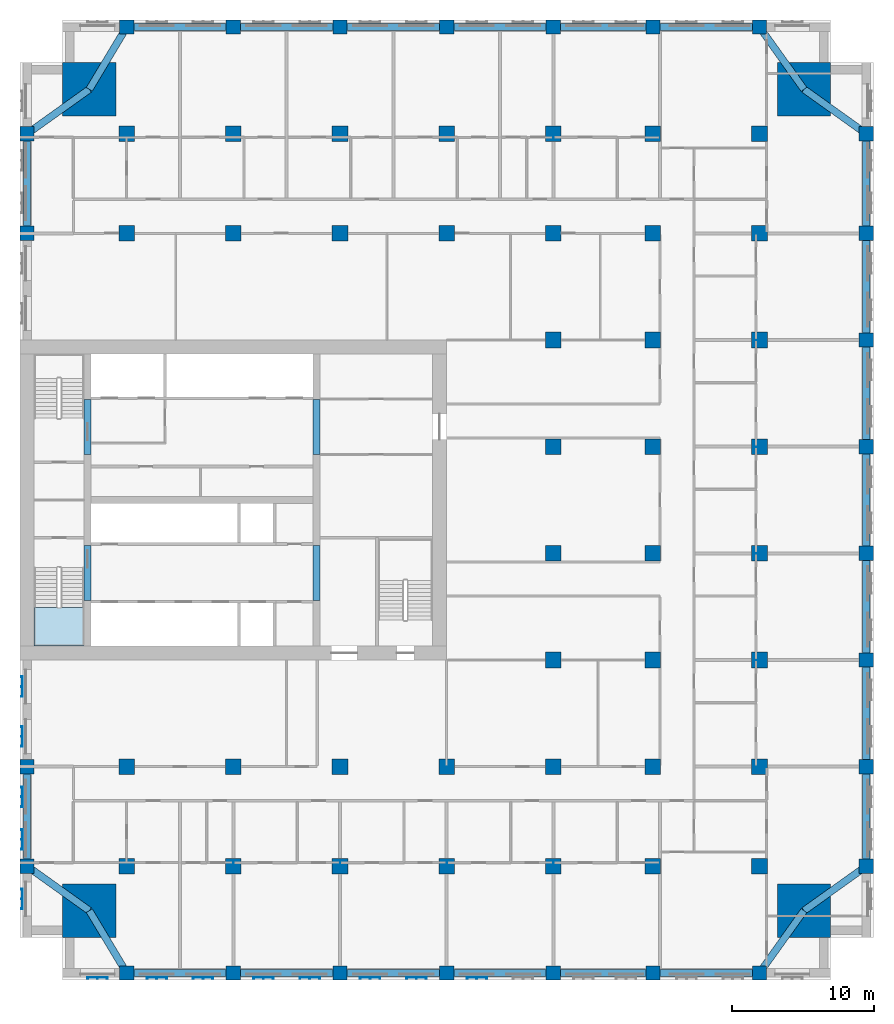
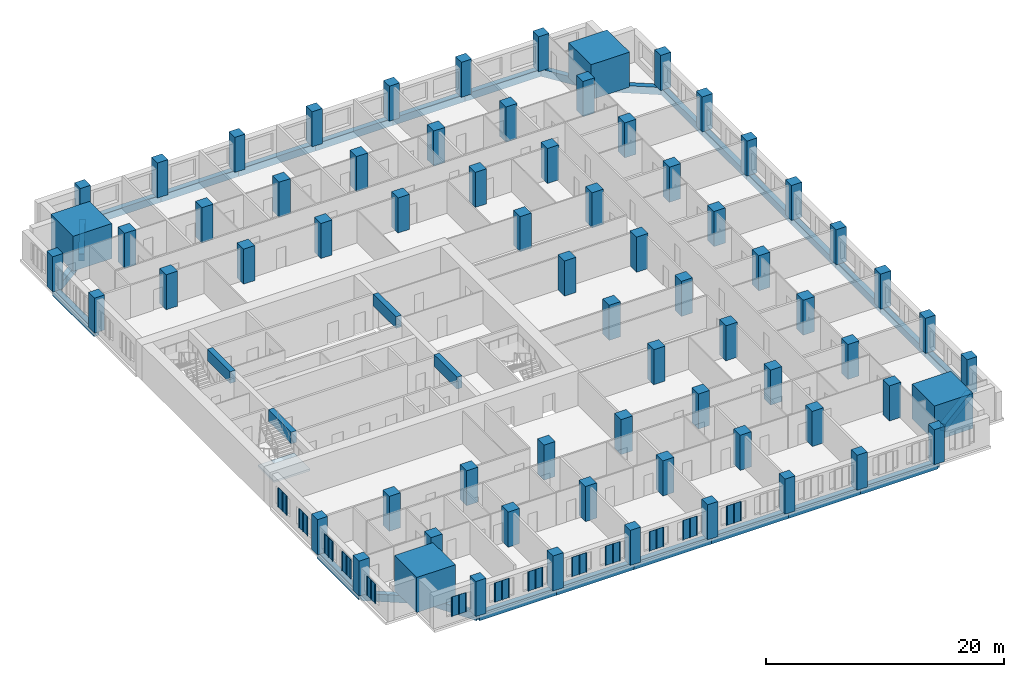
# One storey, part 1 of 14: 70 columns, 33 beams, 13 plates, 1 slab, 1 element without a shape of its own.
"""IFC4 building model written with IfcOpenShell, lengths in metres."""

from ifc_helpers import new_model, si_unit, direction, frame, origin, origin_2d, place, context, subcontext, project, spatial, polyline, rectangle, outline, extrude, material, layer, layer_set, material_profile, profile_set, type_object, element, aggregate, save


model = new_model("IFC4")

# Units and contexts
model_context = context("Model", 3, precision=1e-05, world=origin(), true_north=direction((0.0, 1.0)))
body_context = subcontext(model_context, "Body", "Model", "MODEL_VIEW")
ifc_project = project(units=[si_unit("LENGTHUNIT", "METRE"), si_unit("AREAUNIT", "SQUARE_METRE"), si_unit("VOLUMEUNIT", "CUBIC_METRE"), si_unit("PLANEANGLEUNIT", "RADIAN"), si_unit("MASSUNIT", "GRAM", prefix="KILO")], contexts=[model_context])

# Site, building, storey
site_placement = place(None, origin())
site = spatial("IfcSite", under=ifc_project, at=site_placement, CompositionType="ELEMENT")
building_placement = place(site_placement, origin())
building = spatial("IfcBuilding", under=site, at=building_placement, Name="Tamorin Gate", CompositionType="ELEMENT")
storey_placement = place(building_placement, frame((0.0, 0.0, 100.699951171875)))
storey = spatial("IfcBuildingStorey", under=building, at=storey_placement, Name="L24", CompositionType="ELEMENT", Elevation=100.699951171875)

# Columns
ifc_material_1 = material(Name="Concrete C80/95", Category="concrete")
ifc_material_profile_1 = material_profile(ifc_material_1, rectangle(XDim=1.0, YDim=1.0, at=origin_2d()), Name="RC 1000x1000")
ifc_profile_set_1 = profile_set([ifc_material_profile_1], Name="Concrete C80/95")
column_type_1 = type_object("IfcColumnType", Name="RC column 1000x1000 C80/95", PredefinedType="COLUMN", material=ifc_profile_set_1)
for number, where, z_axis, x_axis, name in (
    (1, (30.5, 45.5, 0.0), (0.0, 0.0, 1.0), (1.0, 0.0, 0.0), "Ring column L24"),
    (2, (30.5, 52.5, 0.0), (0.0, 0.0, 1.0), (1.0, 0.0, 0.0), "Ring column L24"),
    (3, (30.5, 90.0, 0.0), (0.0, 0.0, 1.0), (1.0, 0.0, 0.0), "Ring column L24"),
    (4, (30.5, 97.0, 0.0), (0.0, 0.0, 1.0), (1.0, 0.0, 0.0), "Ring column L24"),
    (5, (37.5, 38.0, 0.0), (0.0, 0.0, 1.0), (1.0, 0.0, 0.0), "Ring column L24"),
    (6, (37.5, 104.5, 0.0), (0.0, 0.0, 1.0), (1.0, 0.0, 0.0), "Ring column L24"),
    (7, (45.0, 38.0, 0.0), (0.0, 0.0, 1.0), (1.0, 0.0, 0.0), "Ring column L24"),
    (8, (45.0, 104.5, 0.0), (0.0, 0.0, 1.0), (1.0, 0.0, 0.0), "Ring column L24"),
    (9, (52.5, 38.0, 0.0), (0.0, 0.0, 1.0), (1.0, 0.0, 0.0), "Ring column L24"),
    (10, (52.5, 104.5, 0.0), (0.0, 0.0, 1.0), (1.0, 0.0, 0.0), "Ring column L24"),
    (11, (60.0, 38.0, 0.0), (0.0, 0.0, 1.0), (1.0, 0.0, 0.0), "Ring column L24"),
    (12, (60.0, 104.5, 0.0), (0.0, 0.0, 1.0), (1.0, 0.0, 0.0), "Ring column L24"),
    (13, (67.5, 38.0, 0.0), (0.0, 0.0, 1.0), (1.0, 0.0, 0.0), "Ring column L24"),
    (14, (67.5, 104.5, 0.0), (0.0, 0.0, 1.0), (1.0, 0.0, 0.0), "Ring column L24"),
    (15, (74.5, 38.0, 0.0), (0.0, 0.0, 1.0), (1.0, 0.0, 0.0), "Ring column L24"),
    (16, (74.5, 104.5, 0.0), (0.0, 0.0, 1.0), (1.0, 0.0, 0.0), "Ring column L24"),
    (17, (82.0, 38.0, 0.0), (0.0, 0.0, 1.0), (1.0, 0.0, 0.0), "Ring column L24"),
    (18, (82.0, 104.5, 0.0), (0.0, 0.0, 1.0), (1.0, 0.0, 0.0), "Ring column L24"),
    (19, (89.5, 45.5, 0.0), (0.0, 0.0, 1.0), (1.0, 0.0, 0.0), "Ring column L24"),
    (20, (89.5, 52.5, 0.0), (0.0, 0.0, 1.0), (1.0, 0.0, 0.0), "Ring column L24"),
    (21, (89.5, 60.0, 0.0), (0.0, 0.0, 1.0), (1.0, 0.0, 0.0), "Ring column L24"),
    (22, (89.5, 67.5, 0.0), (0.0, 0.0, 1.0), (1.0, 0.0, 0.0), "Ring column L24"),
    (23, (89.5, 75.0, 0.0), (0.0, 0.0, 1.0), (1.0, 0.0, 0.0), "Ring column L24"),
    (24, (89.5, 82.5, 0.0), (0.0, 0.0, 1.0), (1.0, 0.0, 0.0), "Ring column L24"),
    (25, (89.5, 90.0, 0.0), (0.0, 0.0, 1.0), (1.0, 0.0, 0.0), "Ring column L24"),
    (26, (89.5, 97.0, 0.0), (0.0, 0.0, 1.0), (1.0, 0.0, 0.0), "Ring column L24"),
):
    element("IfcColumn", number, at=place(storey_placement, frame(where, z_axis=z_axis, x_axis=x_axis)), inside=storey, type_object=column_type_1, Name=name, PredefinedType="COLUMN", context=body_context, shape_type="SweptSolid", body=[
        extrude(rectangle(XDim=1.0, YDim=1.0, at=origin_2d()), origin(), (0.0, 0.0, 1.0), 3.60009765625),
    ])
ifc_material_profile_2 = material_profile(ifc_material_1, rectangle(XDim=1.10009765625, YDim=1.10009765625, at=origin_2d()), Name="RC 1100x1100")
ifc_profile_set_2 = profile_set([ifc_material_profile_2], Name="Concrete C80/95")
column_type_2 = type_object("IfcColumnType", Name="RC column 1100x1100 C80/95", PredefinedType="COLUMN", material=ifc_profile_set_2)
for number, where, z_axis, x_axis, name in (
    (27, (37.5, 45.5, 0.0), (0.0, 0.0, 1.0), (1.0, 0.0, 0.0), "Interior column L24"),
    (28, (37.5, 52.5, 0.0), (0.0, 0.0, 1.0), (1.0, 0.0, 0.0), "Interior column L24"),
    (29, (37.5, 90.0, 0.0), (0.0, 0.0, 1.0), (1.0, 0.0, 0.0), "Interior column L24"),
    (30, (37.5, 97.0, 0.0), (0.0, 0.0, 1.0), (1.0, 0.0, 0.0), "Interior column L24"),
    (31, (45.0, 45.5, 0.0), (0.0, 0.0, 1.0), (1.0, 0.0, 0.0), "Interior column L24"),
    (32, (45.0, 52.5, 0.0), (0.0, 0.0, 1.0), (1.0, 0.0, 0.0), "Interior column L24"),
    (33, (45.0, 90.0, 0.0), (0.0, 0.0, 1.0), (1.0, 0.0, 0.0), "Interior column L24"),
    (34, (45.0, 97.0, 0.0), (0.0, 0.0, 1.0), (1.0, 0.0, 0.0), "Interior column L24"),
    (35, (52.5, 45.5, 0.0), (0.0, 0.0, 1.0), (1.0, 0.0, 0.0), "Interior column L24"),
    (36, (52.5, 52.5, 0.0), (0.0, 0.0, 1.0), (1.0, 0.0, 0.0), "Interior column L24"),
    (37, (52.5, 90.0, 0.0), (0.0, 0.0, 1.0), (1.0, 0.0, 0.0), "Interior column L24"),
    (38, (52.5, 97.0, 0.0), (0.0, 0.0, 1.0), (1.0, 0.0, 0.0), "Interior column L24"),
    (39, (60.0, 45.5, 0.0), (0.0, 0.0, 1.0), (1.0, 0.0, 0.0), "Interior column L24"),
    (40, (60.0, 52.5, 0.0), (0.0, 0.0, 1.0), (1.0, 0.0, 0.0), "Interior column L24"),
    (41, (60.0, 90.0, 0.0), (0.0, 0.0, 1.0), (1.0, 0.0, 0.0), "Interior column L24"),
    (42, (60.0, 97.0, 0.0), (0.0, 0.0, 1.0), (1.0, 0.0, 0.0), "Interior column L24"),
    (43, (67.5, 45.5, 0.0), (0.0, 0.0, 1.0), (1.0, 0.0, 0.0), "Interior column L24"),
    (44, (67.5, 52.5, 0.0), (0.0, 0.0, 1.0), (1.0, 0.0, 0.0), "Interior column L24"),
    (45, (67.5, 60.0, 0.0), (0.0, 0.0, 1.0), (1.0, 0.0, 0.0), "Interior column L24"),
    (46, (67.5, 67.5, 0.0), (0.0, 0.0, 1.0), (1.0, 0.0, 0.0), "Interior column L24"),
    (47, (67.5, 75.0, 0.0), (0.0, 0.0, 1.0), (1.0, 0.0, 0.0), "Interior column L24"),
    (48, (67.5, 82.5, 0.0), (0.0, 0.0, 1.0), (1.0, 0.0, 0.0), "Interior column L24"),
    (49, (67.5, 90.0, 0.0), (0.0, 0.0, 1.0), (1.0, 0.0, 0.0), "Interior column L24"),
    (50, (67.5, 97.0, 0.0), (0.0, 0.0, 1.0), (1.0, 0.0, 0.0), "Interior column L24"),
    (51, (74.5, 45.5, 0.0), (0.0, 0.0, 1.0), (1.0, 0.0, 0.0), "Interior column L24"),
    (52, (74.5, 52.5, 0.0), (0.0, 0.0, 1.0), (1.0, 0.0, 0.0), "Interior column L24"),
    (53, (74.5, 60.0, 0.0), (0.0, 0.0, 1.0), (1.0, 0.0, 0.0), "Interior column L24"),
    (54, (74.5, 67.5, 0.0), (0.0, 0.0, 1.0), (1.0, 0.0, 0.0), "Interior column L24"),
    (55, (74.5, 75.0, 0.0), (0.0, 0.0, 1.0), (1.0, 0.0, 0.0), "Interior column L24"),
    (56, (74.5, 82.5, 0.0), (0.0, 0.0, 1.0), (1.0, 0.0, 0.0), "Interior column L24"),
    (57, (74.5, 90.0, 0.0), (0.0, 0.0, 1.0), (1.0, 0.0, 0.0), "Interior column L24"),
    (58, (74.5, 97.0, 0.0), (0.0, 0.0, 1.0), (1.0, 0.0, 0.0), "Interior column L24"),
    (59, (82.0, 45.5, 0.0), (0.0, 0.0, 1.0), (1.0, 0.0, 0.0), "Interior column L24"),
    (60, (82.0, 52.5, 0.0), (0.0, 0.0, 1.0), (1.0, 0.0, 0.0), "Interior column L24"),
    (61, (82.0, 60.0, 0.0), (0.0, 0.0, 1.0), (1.0, 0.0, 0.0), "Interior column L24"),
    (62, (82.0, 67.5, 0.0), (0.0, 0.0, 1.0), (1.0, 0.0, 0.0), "Interior column L24"),
    (63, (82.0, 75.0, 0.0), (0.0, 0.0, 1.0), (1.0, 0.0, 0.0), "Interior column L24"),
    (64, (82.0, 82.5, 0.0), (0.0, 0.0, 1.0), (1.0, 0.0, 0.0), "Interior column L24"),
    (65, (82.0, 90.0, 0.0), (0.0, 0.0, 1.0), (1.0, 0.0, 0.0), "Interior column L24"),
    (66, (82.0, 97.0, 0.0), (0.0, 0.0, 1.0), (1.0, 0.0, 0.0), "Interior column L24"),
):
    element("IfcColumn", number, at=place(storey_placement, frame(where, z_axis=z_axis, x_axis=x_axis)), inside=storey, type_object=column_type_2, Name=name, PredefinedType="COLUMN", context=body_context, shape_type="SweptSolid", body=[
        extrude(rectangle(XDim=1.10009765625, YDim=1.10009765625, at=origin_2d()), origin(), (0.0, 0.0, 1.0), 3.60009765625),
    ])
ifc_material_profile_3 = material_profile(ifc_material_1, rectangle(XDim=3.75, YDim=3.75, at=origin_2d()), Name="RC 3750x3750")
ifc_profile_set_3 = profile_set([ifc_material_profile_3], Name="Concrete C80/95")
column_type_3 = type_object("IfcColumnType", Name="RC column 3750x3750 C80/95", PredefinedType="COLUMN", material=ifc_profile_set_3)
for number, where, z_axis, x_axis, name in (
    (67, (34.875, 42.375, 0.0), (0.0, 0.0, 1.0), (1.0, 0.0, 0.0), "Mega column SW L24"),
    (68, (85.125, 42.375, 0.0), (0.0, 0.0, 1.0), (1.0, 0.0, 0.0), "Mega column SE L24"),
    (69, (34.875, 100.125, 0.0), (0.0, 0.0, 1.0), (1.0, 0.0, 0.0), "Mega column NW L24"),
    (70, (85.125, 100.125, 0.0), (0.0, 0.0, 1.0), (1.0, 0.0, 0.0), "Mega column NE L24"),
):
    element("IfcColumn", number, at=place(storey_placement, frame(where, z_axis=z_axis, x_axis=x_axis)), inside=storey, type_object=column_type_3, Name=name, PredefinedType="COLUMN", context=body_context, shape_type="SweptSolid", body=[
        extrude(rectangle(XDim=3.75, YDim=3.75, at=origin_2d()), origin(), (0.0, 0.0, 1.0), 3.60009765625),
    ])

# Beams
ifc_material_profile_4 = material_profile(ifc_material_1, rectangle(XDim=0.5, YDim=1.199951171875, at=origin_2d()), Name="RC 500x1200")
ifc_profile_set_4 = profile_set([ifc_material_profile_4], Name="Concrete C80/95")
beam_type_1 = type_object("IfcBeamType", Name="RC coupling beam 500x1200 C80/95", PredefinedType="BEAM", material=ifc_profile_set_4)
for number, where, z_axis, x_axis, name in (
    (71, (34.75, 64.199951171875, 3.0), (0.0, 1.0, 0.0), (-1.0, 0.0, 0.0), "Coupling beam L24"),
    (72, (34.75, 74.449951171875, 3.0), (0.0, 1.0, 0.0), (-1.0, 0.0, 0.0), "Coupling beam L24"),
    (73, (50.85009765625, 64.199951171875, 3.0), (0.0, 1.0, 0.0), (-1.0, 0.0, 0.0), "Coupling beam L24"),
    (74, (50.85009765625, 74.449951171875, 3.0), (0.0, 1.0, 0.0), (-1.0, 0.0, 0.0), "Coupling beam L24"),
):
    element("IfcBeam", number, at=place(storey_placement, frame(where, z_axis=z_axis, x_axis=x_axis)), inside=storey, type_object=beam_type_1, Name=name, PredefinedType="BEAM", context=body_context, shape_type="SweptSolid", body=[
        extrude(rectangle(XDim=0.5, YDim=1.199951171875, at=origin_2d()), origin(), (0.0, 0.0, 1.0), 3.85009765625),
    ])
ifc_material_2 = material(Name="Concrete C50/60", Category="concrete")
ifc_material_profile_5 = material_profile(ifc_material_2, rectangle(XDim=0.5, YDim=0.75, at=origin_2d()), Name="RC 500x750")
ifc_profile_set_5 = profile_set([ifc_material_profile_5], Name="Concrete C50/60")
beam_type_2 = type_object("IfcBeamType", Name="RC spandrel 500x750 C50/60", PredefinedType="BEAM", material=ifc_profile_set_5)
for number, where, z_axis, x_axis, name in (
    (75, (37.5, 38.0, -0.375), (1.0, 0.0, 0.0), (0.0, 1.0, 0.0), "Spandrel beam L24"),
    (76, (45.0, 38.0, -0.375), (1.0, 0.0, 0.0), (0.0, 1.0, 0.0), "Spandrel beam L24"),
    (77, (52.5, 38.0, -0.375), (1.0, 0.0, 0.0), (0.0, 1.0, 0.0), "Spandrel beam L24"),
    (78, (60.0, 38.0, -0.375), (1.0, 0.0, 0.0), (0.0, 1.0, 0.0), "Spandrel beam L24"),
):
    element("IfcBeam", number, at=place(storey_placement, frame(where, z_axis=z_axis, x_axis=x_axis)), inside=storey, type_object=beam_type_2, Name=name, PredefinedType="BEAM", context=body_context, shape_type="SweptSolid", body=[
        extrude(rectangle(XDim=0.5, YDim=0.75, at=origin_2d()), origin(), (0.0, 0.0, 1.0), 7.5),
    ])
beam_1_placement = place(storey_placement, frame((67.5, 38.0, -0.375), z_axis=(1.0, 0.0, 0.0), x_axis=(0.0, 1.0, 0.0)))
element("IfcBeam", 79, at=beam_1_placement, inside=storey, type_object=beam_type_2, Name="Spandrel beam L24", PredefinedType="BEAM", context=body_context, shape_type="SweptSolid", body=[
    extrude(rectangle(XDim=0.5, YDim=0.75, at=origin_2d()), origin(), (0.0, 0.0, 1.0), 7.0),
])
beam_2_placement = place(storey_placement, frame((74.5, 38.0, -0.375), z_axis=(1.0, 0.0, 0.0), x_axis=(0.0, 1.0, 0.0)))
element("IfcBeam", 80, at=beam_2_placement, inside=storey, type_object=beam_type_2, Name="Spandrel beam L24", PredefinedType="BEAM", context=body_context, shape_type="SweptSolid", body=[
    extrude(rectangle(XDim=0.5, YDim=0.75, at=origin_2d()), origin(), (0.0, 0.0, 1.0), 7.5),
])
beam_3_placement = place(storey_placement, frame((89.5, 45.5, -0.375), z_axis=(0.0, 1.0, 0.0), x_axis=(-1.0, 0.0, 0.0)))
element("IfcBeam", 81, at=beam_3_placement, inside=storey, type_object=beam_type_2, Name="Spandrel beam L24", PredefinedType="BEAM", context=body_context, shape_type="SweptSolid", body=[
    extrude(rectangle(XDim=0.5, YDim=0.75, at=origin_2d()), origin(), (0.0, 0.0, 1.0), 7.0),
])
for number, where, z_axis, x_axis, name in (
    (82, (89.5, 52.5, -0.375), (0.0, 1.0, 0.0), (-1.0, 0.0, 0.0), "Spandrel beam L24"),
    (83, (89.5, 60.0, -0.375), (0.0, 1.0, 0.0), (-1.0, 0.0, 0.0), "Spandrel beam L24"),
    (84, (89.5, 67.5, -0.375), (0.0, 1.0, 0.0), (-1.0, 0.0, 0.0), "Spandrel beam L24"),
    (85, (89.5, 75.0, -0.375), (0.0, 1.0, 0.0), (-1.0, 0.0, 0.0), "Spandrel beam L24"),
    (86, (89.5, 82.5, -0.375), (0.0, 1.0, 0.0), (-1.0, 0.0, 0.0), "Spandrel beam L24"),
):
    element("IfcBeam", number, at=place(storey_placement, frame(where, z_axis=z_axis, x_axis=x_axis)), inside=storey, type_object=beam_type_2, Name=name, PredefinedType="BEAM", context=body_context, shape_type="SweptSolid", body=[
        extrude(rectangle(XDim=0.5, YDim=0.75, at=origin_2d()), origin(), (0.0, 0.0, 1.0), 7.5),
    ])
beam_4_placement = place(storey_placement, frame((89.5, 90.0, -0.375), z_axis=(0.0, 1.0, 0.0), x_axis=(-1.0, 0.0, 0.0)))
element("IfcBeam", 87, at=beam_4_placement, inside=storey, type_object=beam_type_2, Name="Spandrel beam L24", PredefinedType="BEAM", context=body_context, shape_type="SweptSolid", body=[
    extrude(rectangle(XDim=0.5, YDim=0.75, at=origin_2d()), origin(), (0.0, 0.0, 1.0), 7.0),
])
beam_5_placement = place(storey_placement, frame((82.0, 104.5, -0.375), z_axis=(-1.0, 0.0, 0.0), x_axis=(0.0, -1.0, 0.0)))
element("IfcBeam", 88, at=beam_5_placement, inside=storey, type_object=beam_type_2, Name="Spandrel beam L24", PredefinedType="BEAM", context=body_context, shape_type="SweptSolid", body=[
    extrude(rectangle(XDim=0.5, YDim=0.75, at=origin_2d()), origin(), (0.0, 0.0, 1.0), 7.5),
])
beam_6_placement = place(storey_placement, frame((74.5, 104.5, -0.375), z_axis=(-1.0, 0.0, 0.0), x_axis=(0.0, -1.0, 0.0)))
element("IfcBeam", 89, at=beam_6_placement, inside=storey, type_object=beam_type_2, Name="Spandrel beam L24", PredefinedType="BEAM", context=body_context, shape_type="SweptSolid", body=[
    extrude(rectangle(XDim=0.5, YDim=0.75, at=origin_2d()), origin(), (0.0, 0.0, 1.0), 7.0),
])
for number, where, z_axis, x_axis, name in (
    (90, (67.5, 104.5, -0.375), (-1.0, 0.0, 0.0), (0.0, -1.0, 0.0), "Spandrel beam L24"),
    (91, (60.0, 104.5, -0.375), (-1.0, 0.0, 0.0), (0.0, -1.0, 0.0), "Spandrel beam L24"),
    (92, (52.5, 104.5, -0.375), (-1.0, 0.0, 0.0), (0.0, -1.0, 0.0), "Spandrel beam L24"),
    (93, (45.0, 104.5, -0.375), (-1.0, 0.0, 0.0), (0.0, -1.0, 0.0), "Spandrel beam L24"),
):
    element("IfcBeam", number, at=place(storey_placement, frame(where, z_axis=z_axis, x_axis=x_axis)), inside=storey, type_object=beam_type_2, Name=name, PredefinedType="BEAM", context=body_context, shape_type="SweptSolid", body=[
        extrude(rectangle(XDim=0.5, YDim=0.75, at=origin_2d()), origin(), (0.0, 0.0, 1.0), 7.5),
    ])
for number, where, z_axis, x_axis, name in (
    (94, (30.5, 97.0, -0.375), (0.0, -1.0, 0.0), (1.0, 0.0, 0.0), "Spandrel beam L24"),
    (95, (30.5, 52.5, -0.375), (0.0, -1.0, 0.0), (1.0, 0.0, 0.0), "Spandrel beam L24"),
):
    element("IfcBeam", number, at=place(storey_placement, frame(where, z_axis=z_axis, x_axis=x_axis)), inside=storey, type_object=beam_type_2, Name=name, PredefinedType="BEAM", context=body_context, shape_type="SweptSolid", body=[
        extrude(rectangle(XDim=0.5, YDim=0.75, at=origin_2d()), origin(), (0.0, 0.0, 1.0), 7.0),
    ])
beam_7_placement = place(storey_placement, frame((34.875, 42.375, -0.375), z_axis=(0.514495755428, -0.857492925713, 0.0), x_axis=(0.857492925713, 0.514495755428, 0.0)))
element("IfcBeam", 96, at=beam_7_placement, inside=storey, type_object=beam_type_2, Name="Corner tie beam L24", PredefinedType="BEAM", context=body_context, shape_type="SweptSolid", body=[
    extrude(rectangle(XDim=0.5, YDim=0.75, at=origin_2d()), origin(), (0.0, 0.0, 1.0), 5.10205078125),
])
for number, where, z_axis, x_axis, name in (
    (97, (34.875, 42.375, -0.375), (-0.813733471207, 0.581238193719, 0.0), (-0.581238193719, -0.813733471207, 0.0), "Corner tie beam L24"),
    (98, (85.125, 42.375, -0.375), (-0.581238193719, -0.813733471207, 0.0), (0.813733471207, -0.581238193719, 0.0), "Corner tie beam L24"),
    (99, (85.125, 42.375, -0.375), (0.813733471207, 0.581238193719, 0.0), (-0.581238193719, 0.813733471207, 0.0), "Corner tie beam L24"),
):
    element("IfcBeam", number, at=place(storey_placement, frame(where, z_axis=z_axis, x_axis=x_axis)), inside=storey, type_object=beam_type_2, Name=name, PredefinedType="BEAM", context=body_context, shape_type="SweptSolid", body=[
        extrude(rectangle(XDim=0.5, YDim=0.75, at=origin_2d()), origin(), (0.0, 0.0, 1.0), 5.37646484375),
    ])
beam_8_placement = place(storey_placement, frame((34.875, 100.125, -0.375), z_axis=(0.514495755428, 0.857492925713, 0.0), x_axis=(-0.857492925713, 0.514495755428, 0.0)))
element("IfcBeam", 100, at=beam_8_placement, inside=storey, type_object=beam_type_2, Name="Corner tie beam L24", PredefinedType="BEAM", context=body_context, shape_type="SweptSolid", body=[
    extrude(rectangle(XDim=0.5, YDim=0.75, at=origin_2d()), origin(), (0.0, 0.0, 1.0), 5.10205078125),
])
for number, where, z_axis, x_axis, name in (
    (101, (34.875, 100.125, -0.375), (-0.813733471207, -0.581238193719, 0.0), (0.581238193719, -0.813733471207, 0.0), "Corner tie beam L24"),
    (102, (85.125, 100.125, -0.375), (-0.581238193719, 0.813733471207, 0.0), (-0.813733471207, -0.581238193719, 0.0), "Corner tie beam L24"),
    (103, (85.125, 100.125, -0.375), (0.813733471207, -0.581238193719, 0.0), (0.581238193719, 0.813733471207, 0.0), "Corner tie beam L24"),
):
    element("IfcBeam", number, at=place(storey_placement, frame(where, z_axis=z_axis, x_axis=x_axis)), inside=storey, type_object=beam_type_2, Name=name, PredefinedType="BEAM", context=body_context, shape_type="SweptSolid", body=[
        extrude(rectangle(XDim=0.5, YDim=0.75, at=origin_2d()), origin(), (0.0, 0.0, 1.0), 5.37646484375),
    ])

# Stair, slab
ifc_material_3 = material(Name="Concrete C40/50", Category="concrete")
stair_type = type_object("IfcStairType", Name="Exit stair", PredefinedType="HALF_TURN_STAIR", material=ifc_material_3)
stair_placement = place(storey_placement, origin())
stair = element("IfcStair", 104, at=stair_placement, inside=storey, type_object=stair_type, Name="L24 stair ST1", PredefinedType="HALF_TURN_STAIR")
ifc_layer_1 = layer(ifc_material_3, 0.199951171875)
ifc_layer_set_1 = layer_set([ifc_layer_1], Name="Exit stair landing 200")
slab_type = type_object("IfcSlabType", Name="Exit stair landing 200", PredefinedType="LANDING", material=ifc_layer_set_1)
slab_placement = place(storey_placement, frame((0.0, 0.0, 1.60009765625)))
slab = element("IfcSlab", 105, at=slab_placement, type_object=slab_type, Name="ST1 landing 1", PredefinedType="LANDING", context=body_context, shape_type="SweptSolid", body=[
    extrude(outline(polyline([(31.0, 63.699951171875), (31.0, 61.0), (34.5, 61.0), (34.5, 63.699951171875), (31.0, 63.699951171875)])), origin(), (0.0, 0.0, 1.0), 0.199951171875),
])
aggregate(stair, [slab])

# Plates
ifc_material_4 = material(Name="Perforated pale aluminium sheet", Category="aluminium")
ifc_layer_2 = layer(ifc_material_4, 0.0400390625)
ifc_layer_set_2 = layer_set([ifc_layer_2], Name="Pale metal solar screen 1440")
plate_type = type_object("IfcPlateType", Name="Pale metal solar screen 1440", PredefinedType="SHEET", material=ifc_layer_set_2)
plate_1_placement = place(storey_placement, frame((0.0, 0.0, 0.7099609375)))
element("IfcPlate", 106, at=plate_1_placement, inside=storey, type_object=plate_type, Name="Perforated solar screen", PredefinedType="SHEET", context=body_context, shape_type="SweptSolid", body=[
    extrude(outline(polyline([(34.72998046875, 37.659912109375), (34.72998046875, 37.699951171875), (34.7900390625, 37.699951171875), (35.419921875, 37.699951171875), (35.47998046875, 37.699951171875), (36.110107421875, 37.699951171875), (36.169921875, 37.699951171875), (36.169921875, 37.659912109375), (36.169921875, 37.60009765625), (36.110107421875, 37.60009765625), (36.110107421875, 37.659912109375), (35.47998046875, 37.659912109375), (35.47998046875, 37.60009765625), (35.419921875, 37.60009765625), (35.419921875, 37.659912109375), (34.7900390625, 37.659912109375), (34.7900390625, 37.60009765625), (34.72998046875, 37.60009765625), (34.72998046875, 37.659912109375)])), origin(), (0.0, 0.0, 1.0), 1.97998046875),
])
plate_2_placement = place(storey_placement, frame((0.0, 0.0, 0.7099609375)))
element("IfcPlate", 107, at=plate_2_placement, inside=storey, type_object=plate_type, Name="Perforated solar screen", PredefinedType="SHEET", context=body_context, shape_type="SweptSolid", body=[
    extrude(outline(polyline([(38.905029296875, 37.659912109375), (38.905029296875, 37.699951171875), (38.965087890625, 37.699951171875), (39.594970703125, 37.699951171875), (39.655029296875, 37.699951171875), (40.284912109375, 37.699951171875), (40.344970703125, 37.699951171875), (40.344970703125, 37.699951171875), (40.344970703125, 37.659912109375), (40.344970703125, 37.659912109375), (40.344970703125, 37.60009765625), (40.284912109375, 37.60009765625), (40.284912109375, 37.659912109375), (39.655029296875, 37.659912109375), (39.655029296875, 37.60009765625), (39.594970703125, 37.60009765625), (39.594970703125, 37.659912109375), (38.965087890625, 37.659912109375), (38.965087890625, 37.60009765625), (38.905029296875, 37.60009765625), (38.905029296875, 37.659912109375)])), origin(), (0.0, 0.0, 1.0), 1.97998046875),
])
plate_3_placement = place(storey_placement, frame((0.0, 0.0, 0.7099609375)))
element("IfcPlate", 108, at=plate_3_placement, inside=storey, type_object=plate_type, Name="Perforated solar screen", PredefinedType="SHEET", context=body_context, shape_type="SweptSolid", body=[
    extrude(outline(polyline([(42.155029296875, 37.659912109375), (42.155029296875, 37.699951171875), (42.215087890625, 37.699951171875), (42.844970703125, 37.699951171875), (42.905029296875, 37.699951171875), (43.534912109375, 37.699951171875), (43.594970703125, 37.699951171875), (43.594970703125, 37.659912109375), (43.594970703125, 37.60009765625), (43.534912109375, 37.60009765625), (43.534912109375, 37.659912109375), (42.905029296875, 37.659912109375), (42.905029296875, 37.60009765625), (42.844970703125, 37.60009765625), (42.844970703125, 37.659912109375), (42.215087890625, 37.659912109375), (42.215087890625, 37.60009765625), (42.155029296875, 37.60009765625), (42.155029296875, 37.659912109375)])), origin(), (0.0, 0.0, 1.0), 1.97998046875),
])
plate_4_placement = place(storey_placement, frame((0.0, 0.0, 0.7099609375)))
element("IfcPlate", 109, at=plate_4_placement, inside=storey, type_object=plate_type, Name="Perforated solar screen", PredefinedType="SHEET", context=body_context, shape_type="SweptSolid", body=[
    extrude(outline(polyline([(46.405029296875, 37.659912109375), (46.405029296875, 37.699951171875), (46.465087890625, 37.699951171875), (47.094970703125, 37.699951171875), (47.155029296875, 37.699951171875), (47.784912109375, 37.699951171875), (47.844970703125, 37.699951171875), (47.844970703125, 37.659912109375), (47.844970703125, 37.60009765625), (47.784912109375, 37.60009765625), (47.784912109375, 37.659912109375), (47.155029296875, 37.659912109375), (47.155029296875, 37.60009765625), (47.094970703125, 37.60009765625), (47.094970703125, 37.659912109375), (46.465087890625, 37.659912109375), (46.465087890625, 37.60009765625), (46.405029296875, 37.60009765625), (46.405029296875, 37.659912109375)])), origin(), (0.0, 0.0, 1.0), 1.97998046875),
])
plate_5_placement = place(storey_placement, frame((0.0, 0.0, 0.7099609375)))
element("IfcPlate", 110, at=plate_5_placement, inside=storey, type_object=plate_type, Name="Perforated solar screen", PredefinedType="SHEET", context=body_context, shape_type="SweptSolid", body=[
    extrude(outline(polyline([(49.655029296875, 37.659912109375), (49.655029296875, 37.699951171875), (49.715087890625, 37.699951171875), (50.344970703125, 37.699951171875), (50.405029296875, 37.699951171875), (51.034912109375, 37.699951171875), (51.094970703125, 37.699951171875), (51.094970703125, 37.659912109375), (51.094970703125, 37.60009765625), (51.034912109375, 37.60009765625), (51.034912109375, 37.659912109375), (50.405029296875, 37.659912109375), (50.405029296875, 37.60009765625), (50.344970703125, 37.60009765625), (50.344970703125, 37.659912109375), (49.715087890625, 37.659912109375), (49.715087890625, 37.60009765625), (49.655029296875, 37.60009765625), (49.655029296875, 37.659912109375)])), origin(), (0.0, 0.0, 1.0), 1.97998046875),
])
plate_6_placement = place(storey_placement, frame((0.0, 0.0, 0.7099609375)))
element("IfcPlate", 111, at=plate_6_placement, inside=storey, type_object=plate_type, Name="Perforated solar screen", PredefinedType="SHEET", context=body_context, shape_type="SweptSolid", body=[
    extrude(outline(polyline([(53.905029296875, 37.659912109375), (53.905029296875, 37.699951171875), (53.965087890625, 37.699951171875), (54.594970703125, 37.699951171875), (54.655029296875, 37.699951171875), (55.284912109375, 37.699951171875), (55.344970703125, 37.699951171875), (55.344970703125, 37.659912109375), (55.344970703125, 37.60009765625), (55.284912109375, 37.60009765625), (55.284912109375, 37.659912109375), (54.655029296875, 37.659912109375), (54.655029296875, 37.60009765625), (54.594970703125, 37.60009765625), (54.594970703125, 37.659912109375), (53.965087890625, 37.659912109375), (53.965087890625, 37.60009765625), (53.905029296875, 37.60009765625), (53.905029296875, 37.659912109375)])), origin(), (0.0, 0.0, 1.0), 1.97998046875),
])
plate_7_placement = place(storey_placement, frame((0.0, 0.0, 0.7099609375)))
element("IfcPlate", 112, at=plate_7_placement, inside=storey, type_object=plate_type, Name="Perforated solar screen", PredefinedType="SHEET", context=body_context, shape_type="SweptSolid", body=[
    extrude(outline(polyline([(57.155029296875, 37.659912109375), (57.155029296875, 37.699951171875), (57.215087890625, 37.699951171875), (57.844970703125, 37.699951171875), (57.905029296875, 37.699951171875), (58.534912109375, 37.699951171875), (58.594970703125, 37.699951171875), (58.594970703125, 37.659912109375), (58.594970703125, 37.60009765625), (58.534912109375, 37.60009765625), (58.534912109375, 37.659912109375), (57.905029296875, 37.659912109375), (57.905029296875, 37.60009765625), (57.844970703125, 37.60009765625), (57.844970703125, 37.659912109375), (57.215087890625, 37.659912109375), (57.215087890625, 37.60009765625), (57.155029296875, 37.60009765625), (57.155029296875, 37.659912109375)])), origin(), (0.0, 0.0, 1.0), 1.97998046875),
])
plate_8_placement = place(storey_placement, frame((0.0, 0.0, 0.7099609375)))
element("IfcPlate", 113, at=plate_8_placement, inside=storey, type_object=plate_type, Name="Perforated solar screen", PredefinedType="SHEET", context=body_context, shape_type="SweptSolid", body=[
    extrude(outline(polyline([(61.405029296875, 37.659912109375), (61.405029296875, 37.699951171875), (61.465087890625, 37.699951171875), (62.094970703125, 37.699951171875), (62.155029296875, 37.699951171875), (62.784912109375, 37.699951171875), (62.844970703125, 37.699951171875), (62.844970703125, 37.659912109375), (62.844970703125, 37.60009765625), (62.784912109375, 37.60009765625), (62.784912109375, 37.659912109375), (62.155029296875, 37.659912109375), (62.155029296875, 37.60009765625), (62.094970703125, 37.60009765625), (62.094970703125, 37.659912109375), (61.465087890625, 37.659912109375), (61.465087890625, 37.60009765625), (61.405029296875, 37.60009765625), (61.405029296875, 37.659912109375)])), origin(), (0.0, 0.0, 1.0), 1.97998046875),
])
plate_9_placement = place(storey_placement, frame((0.0, 0.0, 0.7099609375)))
element("IfcPlate", 114, at=plate_9_placement, inside=storey, type_object=plate_type, Name="Perforated solar screen", PredefinedType="SHEET", context=body_context, shape_type="SweptSolid", body=[
    extrude(outline(polyline([(30.159912109375, 55.344970703125), (30.199951171875, 55.344970703125), (30.199951171875, 55.284912109375), (30.199951171875, 54.655029296875), (30.199951171875, 54.594970703125), (30.199951171875, 53.965087890625), (30.199951171875, 53.905029296875), (30.159912109375, 53.905029296875), (30.10009765625, 53.905029296875), (30.10009765625, 53.965087890625), (30.159912109375, 53.965087890625), (30.159912109375, 54.594970703125), (30.10009765625, 54.594970703125), (30.10009765625, 54.655029296875), (30.159912109375, 54.655029296875), (30.159912109375, 55.284912109375), (30.10009765625, 55.284912109375), (30.10009765625, 55.344970703125), (30.159912109375, 55.344970703125)])), origin(), (0.0, 0.0, 1.0), 1.97998046875),
])
plate_10_placement = place(storey_placement, frame((0.0, 0.0, 0.7099609375)))
element("IfcPlate", 115, at=plate_10_placement, inside=storey, type_object=plate_type, Name="Perforated solar screen", PredefinedType="SHEET", context=body_context, shape_type="SweptSolid", body=[
    extrude(outline(polyline([(30.159912109375, 58.844970703125), (30.199951171875, 58.844970703125), (30.199951171875, 58.784912109375), (30.199951171875, 58.155029296875), (30.199951171875, 58.094970703125), (30.199951171875, 57.465087890625), (30.199951171875, 57.405029296875), (30.159912109375, 57.405029296875), (30.10009765625, 57.405029296875), (30.10009765625, 57.465087890625), (30.159912109375, 57.465087890625), (30.159912109375, 58.094970703125), (30.10009765625, 58.094970703125), (30.10009765625, 58.155029296875), (30.159912109375, 58.155029296875), (30.159912109375, 58.784912109375), (30.10009765625, 58.784912109375), (30.10009765625, 58.844970703125), (30.159912109375, 58.844970703125)])), origin(), (0.0, 0.0, 1.0), 1.97998046875),
])
plate_11_placement = place(storey_placement, frame((0.0, 0.0, 0.7099609375)))
element("IfcPlate", 116, at=plate_11_placement, inside=storey, type_object=plate_type, Name="Perforated solar screen", PredefinedType="SHEET", context=body_context, shape_type="SweptSolid", body=[
    extrude(outline(polyline([(30.159912109375, 48.094970703125), (30.199951171875, 48.094970703125), (30.199951171875, 48.034912109375), (30.199951171875, 47.405029296875), (30.199951171875, 47.344970703125), (30.199951171875, 46.715087890625), (30.199951171875, 46.655029296875), (30.159912109375, 46.655029296875), (30.10009765625, 46.655029296875), (30.10009765625, 46.715087890625), (30.159912109375, 46.715087890625), (30.159912109375, 47.344970703125), (30.10009765625, 47.344970703125), (30.10009765625, 47.405029296875), (30.159912109375, 47.405029296875), (30.159912109375, 48.034912109375), (30.10009765625, 48.034912109375), (30.10009765625, 48.094970703125), (30.159912109375, 48.094970703125)])), origin(), (0.0, 0.0, 1.0), 1.97998046875),
])
plate_12_placement = place(storey_placement, frame((0.0, 0.0, 0.7099609375)))
element("IfcPlate", 117, at=plate_12_placement, inside=storey, type_object=plate_type, Name="Perforated solar screen", PredefinedType="SHEET", context=body_context, shape_type="SweptSolid", body=[
    extrude(outline(polyline([(30.159912109375, 51.094970703125), (30.199951171875, 51.094970703125), (30.199951171875, 51.034912109375), (30.199951171875, 50.405029296875), (30.199951171875, 50.344970703125), (30.199951171875, 49.715087890625), (30.199951171875, 49.655029296875), (30.159912109375, 49.655029296875), (30.10009765625, 49.655029296875), (30.10009765625, 49.715087890625), (30.159912109375, 49.715087890625), (30.159912109375, 50.344970703125), (30.10009765625, 50.344970703125), (30.10009765625, 50.405029296875), (30.159912109375, 50.405029296875), (30.159912109375, 51.034912109375), (30.10009765625, 51.034912109375), (30.10009765625, 51.094970703125), (30.159912109375, 51.094970703125)])), origin(), (0.0, 0.0, 1.0), 1.97998046875),
])
plate_13_placement = place(storey_placement, frame((0.0, 0.0, 0.7099609375)))
element("IfcPlate", 118, at=plate_13_placement, inside=storey, type_object=plate_type, Name="Perforated solar screen", PredefinedType="SHEET", context=body_context, shape_type="SweptSolid", body=[
    extrude(outline(polyline([(30.159912109375, 43.919921875), (30.199951171875, 43.919921875), (30.199951171875, 43.860107421875), (30.199951171875, 43.22998046875), (30.199951171875, 43.169921875), (30.199951171875, 42.5400390625), (30.199951171875, 42.47998046875), (30.159912109375, 42.47998046875), (30.10009765625, 42.47998046875), (30.10009765625, 42.5400390625), (30.159912109375, 42.5400390625), (30.159912109375, 43.169921875), (30.10009765625, 43.169921875), (30.10009765625, 43.22998046875), (30.159912109375, 43.22998046875), (30.159912109375, 43.860107421875), (30.10009765625, 43.860107421875), (30.10009765625, 43.919921875), (30.159912109375, 43.919921875)])), origin(), (0.0, 0.0, 1.0), 1.97998046875),
])

save(model, "model.ifc")
